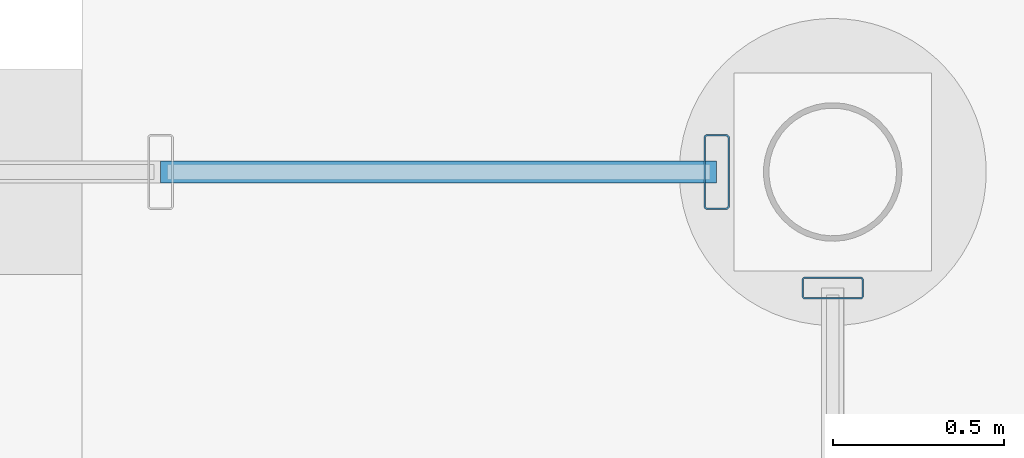
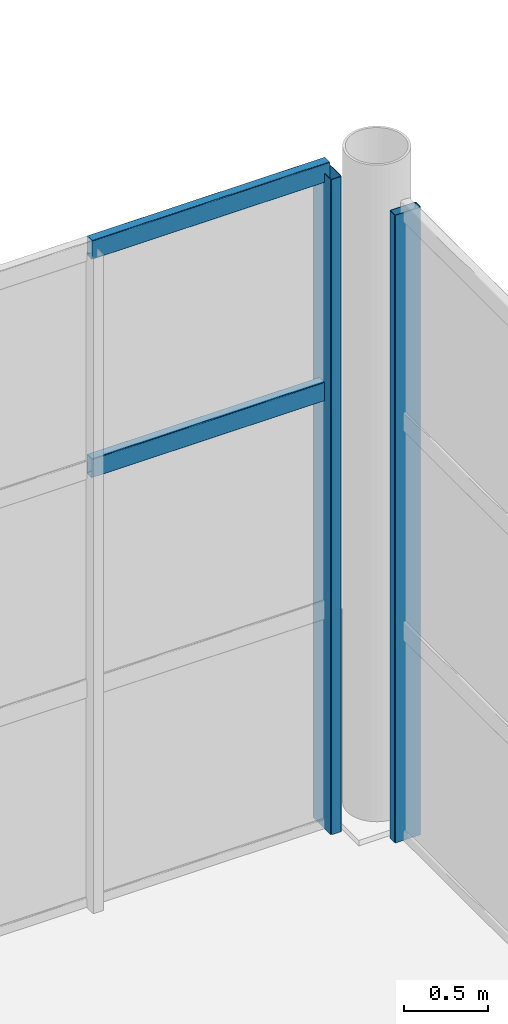
# One storey, part 49 of 101: 4 members, 2 elements without a shape of their own.
"""IFC4 building model written with IfcOpenShell, lengths in metres."""

from ifc_helpers import new_model, si_unit, derived_unit, direction, frame, origin, origin_2d, place, context, subcontext, project, spatial, hollow_rectangle, extrude, material, material_profile, profile_set, type_object, element, aggregate, save


model = new_model("IFC4")

# Units and contexts
model_context = context("Model", 3, precision=1e-05, world=origin(), true_north=direction((0.0, 1.0)))
body_context = subcontext(model_context, "Body", "Model", "MODEL_VIEW")
ifc_project = project(units=[si_unit("LENGTHUNIT", "METRE"), si_unit("AREAUNIT", "SQUARE_METRE"), si_unit("VOLUMEUNIT", "CUBIC_METRE"), si_unit("PLANEANGLEUNIT", "RADIAN"), si_unit("MASSUNIT", "GRAM", prefix="KILO"), derived_unit("THERMALTRANSMITTANCEUNIT", [(si_unit("POWERUNIT", "WATT"), 1), (si_unit("LENGTHUNIT", "METRE"), -2), (si_unit("THERMODYNAMICTEMPERATUREUNIT", "KELVIN"), -1)])], contexts=[model_context])

# Site, building, storey
site_placement = place(None, origin())
site = spatial("IfcSite", under=ifc_project, at=site_placement, CompositionType="ELEMENT")
building_placement = place(site_placement, origin())
building = spatial("IfcBuilding", under=site, at=building_placement, Name="Keldorne Ridge Multi-Sports Centre", CompositionType="ELEMENT")
storey_placement = place(building_placement, origin())
storey = spatial("IfcBuildingStorey", under=building, at=storey_placement, Name="L00", CompositionType="ELEMENT", Elevation=0.0)

# Curtain wall, member
ifc_material = material(Name="Anodized aluminium", Category="aluminium")
curtain_wall_type_1 = type_object("IfcCurtainWallType", Name="CW-CW-06", PredefinedType="NOTDEFINED", material=ifc_material)
curtain_wall_1_placement = place(storey_placement, origin())
curtain_wall_1 = element("IfcCurtainWall", 1, at=curtain_wall_1_placement, inside=storey, type_object=curtain_wall_type_1, Name="Climbing east courtyard glazing L00 070", PredefinedType="NOTDEFINED")
ifc_material_profile_1 = material_profile(ifc_material, hollow_rectangle(XDim=0.06494140625, YDim=0.179931640625, WallThickness=0.00439453125, InnerFilletRadius=0.00439453125, OuterFilletRadius=0.009033203125, at=origin_2d()), Name="ALU MULLION 180x65x4.5")
ifc_profile_set_1 = profile_set([ifc_material_profile_1], Name="Anodized aluminium")
member_type_1 = type_object("IfcMemberType", Name="MEM-ML-01", PredefinedType="MULLION", material=ifc_profile_set_1)
member_1_placement = place(storey_placement, frame((42.0, 113.659912109375, 0.0), z_axis=(0.0, 0.0, 1.0), x_axis=(0.0, 1.0, 0.0)))
member_1 = element("IfcMember", 2, at=member_1_placement, type_object=member_type_1, Name="CW-070 vertical mullion 6", PredefinedType="MULLION", context=body_context, shape_type="SweptSolid", body=[
    extrude(hollow_rectangle(XDim=0.06494140625, YDim=0.179931640625, WallThickness=0.00439453125, InnerFilletRadius=0.00439453125, OuterFilletRadius=0.009033203125, at=origin_2d()), origin(), (0.0, 0.0, 1.0), 4.550048828125),
])
aggregate(curtain_wall_1, [member_1])

# Curtain wall, members
curtain_wall_type_2 = type_object("IfcCurtainWallType", Name="CW-CW-07", PredefinedType="NOTDEFINED", material=ifc_material)
curtain_wall_2_placement = place(storey_placement, origin())
curtain_wall_2 = element("IfcCurtainWall", 3, at=curtain_wall_2_placement, inside=storey, type_object=curtain_wall_type_2, Name="Climbing north glazing L00 055", PredefinedType="NOTDEFINED")
ifc_material_profile_2 = material_profile(ifc_material, hollow_rectangle(XDim=0.074951171875, YDim=0.219970703125, WallThickness=0.0048828125, InnerFilletRadius=0.0048828125, OuterFilletRadius=0.010009765625, at=origin_2d()), Name="ALU MULLION 220x75x5")
ifc_profile_set_2 = profile_set([ifc_material_profile_2], Name="Anodized aluminium")
member_type_2 = type_object("IfcMemberType", Name="MEM-ML-02", PredefinedType="MULLION", material=ifc_profile_set_2)
member_2_placement = place(storey_placement, frame((41.659912109375, 114.0, 0.0), z_axis=(0.0, 0.0, 1.0), x_axis=(1.0, 0.0, 0.0)))
member_2 = element("IfcMember", 4, at=member_2_placement, type_object=member_type_2, Name="CW-055 vertical mullion 1", PredefinedType="MULLION", context=body_context, shape_type="SweptSolid", body=[
    extrude(hollow_rectangle(XDim=0.074951171875, YDim=0.219970703125, WallThickness=0.0048828125, InnerFilletRadius=0.0048828125, OuterFilletRadius=0.010009765625, at=origin_2d()), origin(), (0.0, 0.0, 1.0), 4.75),
])
ifc_material_profile_3 = material_profile(ifc_material, hollow_rectangle(XDim=0.06494140625, YDim=0.139892578125, WallThickness=0.00439453125, InnerFilletRadius=0.00439453125, OuterFilletRadius=0.009033203125, at=origin_2d()), Name="ALU TRANSOM 140x65x4.5")
ifc_profile_set_3 = profile_set([ifc_material_profile_3], Name="Anodized aluminium")
member_type_3 = type_object("IfcMemberType", Name="MEM-TR-01", PredefinedType="USERDEFINED", material=ifc_profile_set_3)
member_3_placement = place(storey_placement, frame((41.659912109375, 114.0, 3.166748046875), z_axis=(-1.0, 0.0, 0.0), x_axis=(0.0, -1.0, 0.0)))
member_3 = element("IfcMember", 5, at=member_3_placement, type_object=member_type_3, Name="CW-055 transom 1.3", ObjectType="TRANSOM", PredefinedType="USERDEFINED", context=body_context, shape_type="SweptSolid", body=[
    extrude(hollow_rectangle(XDim=0.06494140625, YDim=0.139892578125, WallThickness=0.00439453125, InnerFilletRadius=0.00439453125, OuterFilletRadius=0.009033203125, at=origin_2d()), origin(), (0.0, 0.0, 1.0), 1.6298828125),
])
member_4_placement = place(storey_placement, frame((41.659912109375, 114.0, 4.75), z_axis=(-1.0, 0.0, 0.0), x_axis=(0.0, -1.0, 0.0)))
member_4 = element("IfcMember", 6, at=member_4_placement, type_object=member_type_3, Name="CW-055 transom 1.4", ObjectType="TRANSOM", PredefinedType="USERDEFINED", context=body_context, shape_type="SweptSolid", body=[
    extrude(hollow_rectangle(XDim=0.06494140625, YDim=0.139892578125, WallThickness=0.00439453125, InnerFilletRadius=0.00439453125, OuterFilletRadius=0.009033203125, at=origin_2d()), origin(), (0.0, 0.0, 1.0), 1.6298828125),
])
aggregate(curtain_wall_2, [member_2, member_3, member_4])

save(model, "model.ifc")
